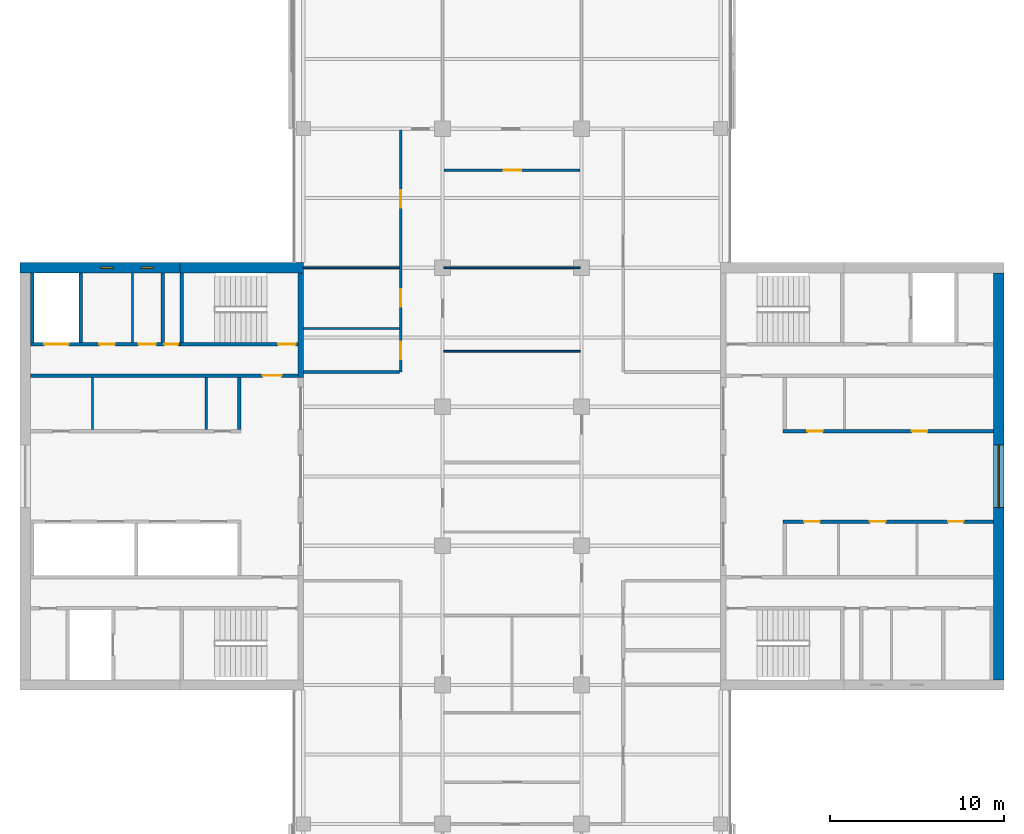
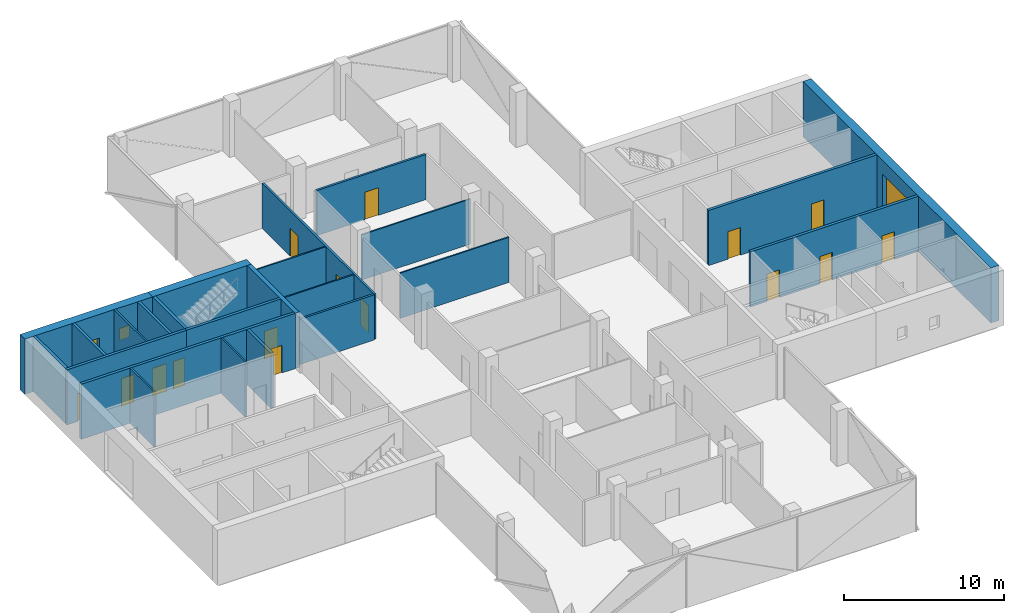
# One storey, part 11 of 15: 24 walls, 15 doors, 3 windows, 18 openings.
"""IFC4 building model written with IfcOpenShell, lengths in metres."""

from ifc_helpers import new_model, si_unit, direction, frame, frame_2d, origin, place, context, subcontext, project, spatial, rectangle, extrude, material, layer, layer_set, constituent, constituent_set, type_object, element, fill, save


model = new_model("IFC4")

# Units and contexts
model_context = context("Model", 3, precision=1e-05, world=origin(), true_north=direction((0.0, 1.0)))
body_context = subcontext(model_context, "Body", "Model", "MODEL_VIEW")
ifc_project = project(units=[si_unit("LENGTHUNIT", "METRE"), si_unit("AREAUNIT", "SQUARE_METRE"), si_unit("VOLUMEUNIT", "CUBIC_METRE"), si_unit("PLANEANGLEUNIT", "RADIAN"), si_unit("MASSUNIT", "GRAM", prefix="KILO")], contexts=[model_context])

# Site, building, storey
site_placement = place(None, origin())
site = spatial("IfcSite", under=ifc_project, at=site_placement, CompositionType="ELEMENT")
building_placement = place(site_placement, origin())
building = spatial("IfcBuilding", under=site, at=building_placement, Name="Crosswind Convention Tower", CompositionType="ELEMENT")
storey_placement = place(building_placement, frame((0.0, 0.0, 191.5)))
storey = spatial("IfcBuildingStorey", under=building, at=storey_placement, Name="L40", CompositionType="ELEMENT", Elevation=191.5)

# Walls
ifc_material_1 = material(Name="Concrete blockwork", Category="masonry")
ifc_layer_1 = layer(ifc_material_1, 0.199951171875)
ifc_layer_set_1 = layer_set([ifc_layer_1], Name="Blockwork partition wall 200")
wall_type_1 = type_object("IfcWallType", Name="Blockwork partition wall 200", PredefinedType="PARTITIONING", material=ifc_layer_set_1)
wall_1_placement = place(storey_placement, frame((104.89990234375, 111.699951171875, 0.0), z_axis=(0.0, 0.0, 1.0), x_axis=(0.0, -1.0, 0.0)))
element("IfcWall", 1, at=wall_1_placement, inside=storey, type_object=wall_type_1, Name="Wall MRSE W L40", PredefinedType="PARTITIONING", context=body_context, shape_type="SweptSolid", body=[
    extrude(rectangle(XDim=4.0, YDim=0.199951171875, at=frame_2d((2.0, 0.0))), origin(), (0.0, 0.0, 1.0), 4.199951171875),
])
ifc_material_2 = material(Name="Concrete C50/60", Category="concrete")
ifc_layer_2 = layer(ifc_material_2, 0.300048828125)
ifc_layer_set_2 = layer_set([ifc_layer_2], Name="Concrete C50/60")
wall_type_2 = type_object("IfcWallType", Name="Concrete inner core wall 300", PredefinedType="SHEAR", material=ifc_layer_set_2)
wall_2_placement = place(storey_placement, frame((112.85009765625, 111.699951171875, 0.0), z_axis=(0.0, 0.0, 1.0), x_axis=(0.0, -1.0, 0.0)))
element("IfcWall", 2, at=wall_2_placement, inside=storey, type_object=wall_type_2, Name="Wall EM W L40", PredefinedType="SHEAR", context=body_context, shape_type="SweptSolid", body=[
    extrude(rectangle(XDim=6.0, YDim=0.300048828125, at=frame_2d((3.0, 0.0))), origin(), (0.0, 0.0, 1.0), 4.199951171875),
])

# Wall, openings, doors
ifc_layer_3 = layer(ifc_material_2, 0.199951171875)
ifc_layer_set_3 = layer_set([ifc_layer_3], Name="Concrete C50/60")
wall_type_3 = type_object("IfcWallType", Name="Concrete shaft and stair wall 200", PredefinedType="SHEAR", material=ifc_layer_set_3)
wall_3_placement = place(storey_placement, frame((140.60009765625, 102.60009765625, 0.0), z_axis=(0.0, 0.0, 1.0), x_axis=(1.0, 0.0, 0.0)))
wall_3 = element("IfcWall", 3, at=wall_3_placement, inside=storey, type_object=wall_type_3, Name="Wall RPFRONT E L40", PredefinedType="SHEAR", context=body_context, shape_type="SweptSolid", body=[
    extrude(rectangle(XDim=12.099853515625, YDim=0.199951171875, at=frame_2d((6.0498046875, 0.0))), origin(), (0.0, 0.0, 1.0), 4.199951171875),
])
opening_1_placement = place(wall_3_placement, frame((1.384765625, 0.0, 0.0)))
opening_1 = element("IfcOpeningElement", 4, at=opening_1_placement, cuts=wall_3, Name="Opening D106", PredefinedType="OPENING", context=body_context, shape_type="SweptSolid", body=[
    extrude(rectangle(XDim=0.89990234375, YDim=2.10009765625, at=frame_2d((0.449951171875, 1.050048828125))), frame((0.0, 0.10986328125, 0.0), z_axis=(0.0, -1.0, 0.0), x_axis=(1.0, 0.0, 0.0)), (0.0, 0.0, 1.0), 0.219970703125),
])
opening_2_placement = place(wall_3_placement, frame((7.397216796875, 0.0, 0.0)))
opening_2 = element("IfcOpeningElement", 5, at=opening_2_placement, cuts=wall_3, Name="Opening D106", PredefinedType="OPENING", context=body_context, shape_type="SweptSolid", body=[
    extrude(rectangle(XDim=0.89990234375, YDim=2.10009765625, at=frame_2d((0.449951171875, 1.050048828125))), frame((0.0, 0.10986328125, 0.0), z_axis=(0.0, -1.0, 0.0), x_axis=(1.0, 0.0, 0.0)), (0.0, 0.0, 1.0), 0.219970703125),
])
ifc_material_3 = material(Name="Timber door", Category="wood")
door_type_1 = type_object("IfcDoorType", Name="Single leaf door 900x2100", OperationType="NOTDEFINED", PredefinedType="DOOR", material=ifc_material_3)
door_1_placement = place(opening_1_placement, origin())
door_1 = element("IfcDoor", 6, at=door_1_placement, inside=storey, type_object=door_type_1, Name="Door to tenant services room L40", ObjectType="D106", OperationType="SINGLE_SWING_RIGHT", OverallHeight=2.10009765625, OverallWidth=0.89990234375, PredefinedType="DOOR", context=body_context, shape_type="SweptSolid", body=[
    extrude(rectangle(XDim=0.89990234375, YDim=2.10009765625, at=frame_2d((0.449951171875, 1.050048828125))), frame((0.0, 0.02490234375, 0.0), z_axis=(0.0, -1.0, 0.0), x_axis=(1.0, 0.0, 0.0)), (0.0, 0.0, 1.0), 0.050048828125),
])
fill(opening_1, door_1)
door_2_placement = place(opening_2_placement, origin())
door_2 = element("IfcDoor", 7, at=door_2_placement, inside=storey, type_object=door_type_1, Name="Door to copy and print room L40", ObjectType="D106", OperationType="SINGLE_SWING_RIGHT", OverallHeight=2.10009765625, OverallWidth=0.89990234375, PredefinedType="DOOR", context=body_context, shape_type="SweptSolid", body=[
    extrude(rectangle(XDim=0.89990234375, YDim=2.10009765625, at=frame_2d((0.449951171875, 1.050048828125))), frame((0.0, 0.02490234375, 0.0), z_axis=(0.0, -1.0, 0.0), x_axis=(1.0, 0.0, 0.0)), (0.0, 0.0, 1.0), 0.050048828125),
])
fill(opening_2, door_2)

wall_4_placement = place(storey_placement, frame((140.60009765625, 97.39990234375, 0.0), z_axis=(0.0, 0.0, 1.0), x_axis=(1.0, 0.0, 0.0)))
wall_4 = element("IfcWall", 8, at=wall_4_placement, inside=storey, type_object=wall_type_3, Name="Wall RMFRONT E L40", PredefinedType="SHEAR", context=body_context, shape_type="SweptSolid", body=[
    extrude(rectangle(XDim=12.099853515625, YDim=0.199951171875, at=frame_2d((6.0498046875, 0.0))), origin(), (0.0, 0.0, 1.0), 4.199951171875),
])
opening_3_placement = place(wall_4_placement, frame((1.206298828125, 0.0, 0.0)))
opening_3 = element("IfcOpeningElement", 9, at=opening_3_placement, cuts=wall_4, Name="Opening D106", PredefinedType="OPENING", context=body_context, shape_type="SweptSolid", body=[
    extrude(rectangle(XDim=0.89990234375, YDim=2.10009765625, at=frame_2d((0.449951171875, 1.050048828125))), frame((0.0, 0.10986328125, 0.0), z_axis=(0.0, -1.0, 0.0), x_axis=(1.0, 0.0, 0.0)), (0.0, 0.0, 1.0), 0.219970703125),
])
opening_4_placement = place(wall_4_placement, frame((4.986083984375, 0.0, 0.0)))
opening_4 = element("IfcOpeningElement", 10, at=opening_4_placement, cuts=wall_4, Name="Opening D106", PredefinedType="OPENING", context=body_context, shape_type="SweptSolid", body=[
    extrude(rectangle(XDim=0.89990234375, YDim=2.10009765625, at=frame_2d((0.449951171875, 1.050048828125))), frame((0.0, 0.10986328125, 0.0), z_axis=(0.0, -1.0, 0.0), x_axis=(1.0, 0.0, 0.0)), (0.0, 0.0, 1.0), 0.219970703125),
])
opening_5_placement = place(wall_4_placement, frame((9.479736328125, 0.0, 0.0)))
opening_5 = element("IfcOpeningElement", 11, at=opening_5_placement, cuts=wall_4, Name="Opening D106", PredefinedType="OPENING", context=body_context, shape_type="SweptSolid", body=[
    extrude(rectangle(XDim=0.89990234375, YDim=2.10009765625, at=frame_2d((0.449951171875, 1.050048828125))), frame((0.0, 0.10986328125, 0.0), z_axis=(0.0, -1.0, 0.0), x_axis=(1.0, 0.0, 0.0)), (0.0, 0.0, 1.0), 0.219970703125),
])
door_3_placement = place(opening_3_placement, frame((0.89990234375, 0.0, 0.0), z_axis=(0.0, 0.0, 1.0), x_axis=(-1.0, 0.0, 0.0)))
door_3 = element("IfcDoor", 12, at=door_3_placement, inside=storey, type_object=door_type_1, Name="Door to copy and print room L40", ObjectType="D106", OperationType="SINGLE_SWING_LEFT", OverallHeight=2.10009765625, OverallWidth=0.89990234375, PredefinedType="DOOR", context=body_context, shape_type="SweptSolid", body=[
    extrude(rectangle(XDim=0.89990234375, YDim=2.10009765625, at=frame_2d((0.449951171875, 1.050048828125))), frame((0.0, 0.02490234375, 0.0), z_axis=(0.0, -1.0, 0.0), x_axis=(1.0, 0.0, 0.0)), (0.0, 0.0, 1.0), 0.050048828125),
])
fill(opening_3, door_3)
door_4_placement = place(opening_4_placement, frame((0.89990234375, 0.0, 0.0), z_axis=(0.0, 0.0, 1.0), x_axis=(-1.0, 0.0, 0.0)))
door_4 = element("IfcDoor", 13, at=door_4_placement, inside=storey, type_object=door_type_1, Name="Door to meeting room L40", ObjectType="D106", OperationType="SINGLE_SWING_LEFT", OverallHeight=2.10009765625, OverallWidth=0.89990234375, PredefinedType="DOOR", context=body_context, shape_type="SweptSolid", body=[
    extrude(rectangle(XDim=0.89990234375, YDim=2.10009765625, at=frame_2d((0.449951171875, 1.050048828125))), frame((0.0, 0.02490234375, 0.0), z_axis=(0.0, -1.0, 0.0), x_axis=(1.0, 0.0, 0.0)), (0.0, 0.0, 1.0), 0.050048828125),
])
fill(opening_4, door_4)
door_5_placement = place(opening_5_placement, frame((0.89990234375, 0.0, 0.0), z_axis=(0.0, 0.0, 1.0), x_axis=(-1.0, 0.0, 0.0)))
door_5 = element("IfcDoor", 14, at=door_5_placement, inside=storey, type_object=door_type_1, Name="Door to pantry L40", ObjectType="D106", OperationType="SINGLE_SWING_LEFT", OverallHeight=2.10009765625, OverallWidth=0.89990234375, PredefinedType="DOOR", context=body_context, shape_type="SweptSolid", body=[
    extrude(rectangle(XDim=0.89990234375, YDim=2.10009765625, at=frame_2d((0.449951171875, 1.050048828125))), frame((0.0, 0.02490234375, 0.0), z_axis=(0.0, -1.0, 0.0), x_axis=(1.0, 0.0, 0.0)), (0.0, 0.0, 1.0), 0.050048828125),
])
fill(opening_5, door_5)

# Wall
wall_5_placement = place(storey_placement, frame((109.300048828125, 105.699951171875, 0.0), z_axis=(0.0, 0.0, 1.0), x_axis=(0.0, -1.0, 0.0)))
element("IfcWall", 15, at=wall_5_placement, inside=storey, type_object=wall_type_3, Name="Wall RMEND W L40", PredefinedType="SHEAR", context=body_context, shape_type="SweptSolid", body=[
    extrude(rectangle(XDim=3.0, YDim=0.199951171875, at=frame_2d((1.5, 0.0))), origin(), (0.0, 0.0, 1.0), 4.199951171875),
])

# Wall, opening, door
wall_6_placement = place(storey_placement, frame((112.699951171875, 105.800048828125, 0.0), z_axis=(0.0, 0.0, 1.0), x_axis=(-1.0, 0.0, 0.0)))
wall_6 = element("IfcWall", 16, at=wall_6_placement, inside=storey, type_object=wall_type_3, Name="Wall HM W L40", PredefinedType="SHEAR", context=body_context, shape_type="SweptSolid", body=[
    extrude(rectangle(XDim=15.39990234375, YDim=0.199951171875, at=frame_2d((7.699951171875, 0.0))), origin(), (0.0, 0.0, 1.0), 4.199951171875),
])
opening_6_placement = place(wall_6_placement, frame((0.949951171875, 0.0, 0.0)))
opening_6 = element("IfcOpeningElement", 17, at=opening_6_placement, cuts=wall_6, Name="Opening D104", PredefinedType="OPENING", context=body_context, shape_type="SweptSolid", body=[
    extrude(rectangle(XDim=1.10009765625, YDim=2.10009765625, at=frame_2d((0.550048828125, 1.050048828125))), frame((0.0, 0.10986328125, 0.0), z_axis=(0.0, -1.0, 0.0), x_axis=(1.0, 0.0, 0.0)), (0.0, 0.0, 1.0), 0.219970703125),
])
ifc_material_4 = material(Name="Steel fire door", Category="steel")
door_type_2 = type_object("IfcDoorType", Name="Fire-rated single door 1100x2100", OperationType="NOTDEFINED", PredefinedType="DOOR", material=ifc_material_4)
door_6_placement = place(opening_6_placement, origin())
door_6 = element("IfcDoor", 18, at=door_6_placement, inside=storey, type_object=door_type_2, Name="Corridor door L40", ObjectType="D104", OperationType="SINGLE_SWING_LEFT", OverallHeight=2.10009765625, OverallWidth=1.10009765625, PredefinedType="DOOR", context=body_context, shape_type="SweptSolid", body=[
    extrude(rectangle(XDim=1.10009765625, YDim=2.10009765625, at=frame_2d((0.550048828125, 1.050048828125))), frame((0.0, 0.02490234375, 0.0), z_axis=(0.0, -1.0, 0.0), x_axis=(1.0, 0.0, 0.0)), (0.0, 0.0, 1.0), 0.050048828125),
])
fill(opening_6, door_6)

# Walls
for number, where, z_axis, x_axis, name in (
    (19, (106.0, 111.699951171875, 0.0), (0.0, 0.0, 1.0), (0.0, -1.0, 0.0), "Wall MSE W L40"),
    (20, (100.199951171875, 111.699951171875, 0.0), (0.0, 0.0, 1.0), (0.0, -1.0, 0.0), "Wall MFSW W L40"),
    (21, (97.39990234375, 111.699951171875, 0.0), (0.0, 0.0, 1.0), (0.0, -1.0, 0.0), "Wall MFSE W L40"),
):
    element("IfcWall", number, at=place(storey_placement, frame(where, z_axis=z_axis, x_axis=x_axis)), inside=storey, type_object=wall_type_3, Name=name, PredefinedType="SHEAR", context=body_context, shape_type="SweptSolid", body=[
        extrude(rectangle(XDim=4.0, YDim=0.199951171875, at=frame_2d((2.0, 0.0))), origin(), (0.0, 0.0, 1.0), 4.199951171875),
    ])

# Wall, opening, door
wall_7_placement = place(storey_placement, frame((112.699951171875, 107.60009765625, 0.0), z_axis=(0.0, 0.0, 1.0), x_axis=(-1.0, 0.0, 0.0)))
wall_7 = element("IfcWall", 22, at=wall_7_placement, inside=storey, type_object=wall_type_3, Name="Wall MCW W L40", PredefinedType="SHEAR", context=body_context, shape_type="SweptSolid", body=[
    extrude(rectangle(XDim=6.800048828125, YDim=0.199951171875, at=frame_2d((3.39990234375, 0.0))), origin(), (0.0, 0.0, 1.0), 4.199951171875),
])
opening_7_placement = place(wall_7_placement, frame((0.14990234375, 0.0, 0.0)))
opening_7 = element("IfcOpeningElement", 23, at=opening_7_placement, cuts=wall_7, Name="Opening D103", PredefinedType="OPENING", context=body_context, shape_type="SweptSolid", body=[
    extrude(rectangle(XDim=1.0, YDim=2.10009765625, at=frame_2d((0.5, 1.050048828125))), frame((0.0, 0.10986328125, 0.0), z_axis=(0.0, -1.0, 0.0), x_axis=(1.0, 0.0, 0.0)), (0.0, 0.0, 1.0), 0.219970703125),
])
door_type_3 = type_object("IfcDoorType", Name="Fire-rated single door 1000x2100", OperationType="NOTDEFINED", PredefinedType="DOOR", material=ifc_material_4)
door_7_placement = place(opening_7_placement, frame((1.0, 0.0, 0.0), z_axis=(0.0, 0.0, 1.0), x_axis=(-1.0, 0.0, 0.0)))
door_7 = element("IfcDoor", 24, at=door_7_placement, inside=storey, type_object=door_type_3, Name="Stair ST4 door L40", ObjectType="D103", OperationType="SINGLE_SWING_RIGHT", OverallHeight=2.10009765625, OverallWidth=1.0, PredefinedType="DOOR", context=body_context, shape_type="SweptSolid", body=[
    extrude(rectangle(XDim=1.0, YDim=2.10009765625, at=frame_2d((0.5, 1.050048828125))), frame((0.0, 0.02490234375, 0.0), z_axis=(0.0, -1.0, 0.0), x_axis=(1.0, 0.0, 0.0)), (0.0, 0.0, 1.0), 0.050048828125),
])
fill(opening_7, door_7)

# Wall, openings, doors
wall_8_placement = place(storey_placement, frame((105.89990234375, 107.60009765625, 0.0), z_axis=(0.0, 0.0, 1.0), x_axis=(-1.0, 0.0, 0.0)))
wall_8 = element("IfcWall", 25, at=wall_8_placement, inside=storey, type_object=wall_type_3, Name="Wall MCX W L40", PredefinedType="SHEAR", context=body_context, shape_type="SweptSolid", body=[
    extrude(rectangle(XDim=8.599853515625, YDim=0.199951171875, at=frame_2d((4.2998046875, 0.0))), origin(), (0.0, 0.0, 1.0), 4.199951171875),
])
opening_8_placement = place(wall_8_placement, frame((0.10009765625, 0.0, 0.0)))
opening_8 = element("IfcOpeningElement", 26, at=opening_8_placement, cuts=wall_8, Name="Opening D105", PredefinedType="OPENING", context=body_context, shape_type="SweptSolid", body=[
    extrude(rectangle(XDim=0.800048828125, YDim=2.10009765625, at=frame_2d((0.39990234375, 1.050048828125))), frame((0.0, 0.10986328125, 0.0), z_axis=(0.0, -1.0, 0.0), x_axis=(1.0, 0.0, 0.0)), (0.0, 0.0, 1.0), 0.219970703125),
])
opening_9_placement = place(wall_8_placement, frame((1.378662109375, 0.0, 0.0)))
opening_9 = element("IfcOpeningElement", 27, at=opening_9_placement, cuts=wall_8, Name="Opening D103", PredefinedType="OPENING", context=body_context, shape_type="SweptSolid", body=[
    extrude(rectangle(XDim=1.0, YDim=2.10009765625, at=frame_2d((0.5, 1.050048828125))), frame((0.0, 0.10986328125, 0.0), z_axis=(0.0, -1.0, 0.0), x_axis=(1.0, 0.0, 0.0)), (0.0, 0.0, 1.0), 0.219970703125),
])
opening_10_placement = place(wall_8_placement, frame((3.7412109375, 0.0, 0.0)))
opening_10 = element("IfcOpeningElement", 28, at=opening_10_placement, cuts=wall_8, Name="Opening D106", PredefinedType="OPENING", context=body_context, shape_type="SweptSolid", body=[
    extrude(rectangle(XDim=0.89990234375, YDim=2.10009765625, at=frame_2d((0.449951171875, 1.050048828125))), frame((0.0, 0.10986328125, 0.0), z_axis=(0.0, -1.0, 0.0), x_axis=(1.0, 0.0, 0.0)), (0.0, 0.0, 1.0), 0.219970703125),
])
opening_11_placement = place(wall_8_placement, frame((6.39990234375, 0.0, 0.0)))
opening_11 = element("IfcOpeningElement", 29, at=opening_11_placement, cuts=wall_8, Name="Opening LD2", PredefinedType="OPENING", context=body_context, shape_type="SweptSolid", body=[
    extrude(rectangle(XDim=1.39990234375, YDim=2.10009765625, at=frame_2d((0.699951171875, 1.050048828125))), frame((0.0, 0.10986328125, 0.0), z_axis=(0.0, -1.0, 0.0), x_axis=(1.0, 0.0, 0.0)), (0.0, 0.0, 1.0), 0.219970703125),
])
door_8_placement = place(opening_9_placement, frame((1.0, 0.0, 0.0), z_axis=(0.0, 0.0, 1.0), x_axis=(-1.0, 0.0, 0.0)))
door_8 = element("IfcDoor", 30, at=door_8_placement, inside=storey, type_object=door_type_3, Name="Door to accessible wc L40", ObjectType="D103", OperationType="SINGLE_SWING_LEFT", OverallHeight=2.10009765625, OverallWidth=1.0, PredefinedType="DOOR", context=body_context, shape_type="SweptSolid", body=[
    extrude(rectangle(XDim=1.0, YDim=2.10009765625, at=frame_2d((0.5, 1.050048828125))), frame((0.0, 0.02490234375, 0.0), z_axis=(0.0, -1.0, 0.0), x_axis=(1.0, 0.0, 0.0)), (0.0, 0.0, 1.0), 0.050048828125),
])
fill(opening_9, door_8)
ifc_material_5 = material(Name="Stainless steel", Category="steel")
door_type_4 = type_object("IfcDoorType", Name="Lift landing door 1400x2100", OperationType="DOUBLE_DOOR_SLIDING", PredefinedType="DOOR", material=ifc_material_5)
door_9_placement = place(opening_11_placement, origin())
door_9 = element("IfcDoor", 31, at=door_9_placement, inside=storey, type_object=door_type_4, Name="Landing door SV2 L40", ObjectType="LD2", OperationType="DOUBLE_DOOR_SLIDING", OverallHeight=2.10009765625, OverallWidth=1.39990234375, PredefinedType="DOOR", context=body_context, shape_type="SweptSolid", body=[
    extrude(rectangle(XDim=1.39990234375, YDim=2.10009765625, at=frame_2d((0.699951171875, 1.050048828125))), frame((0.0, 0.02490234375, 0.0), z_axis=(0.0, -1.0, 0.0), x_axis=(1.0, 0.0, 0.0)), (0.0, 0.0, 1.0), 0.050048828125),
])
fill(opening_11, door_9)
door_type_5 = type_object("IfcDoorType", Name="Riser access door 800x2100", OperationType="NOTDEFINED", PredefinedType="DOOR", material=ifc_material_4)
door_10_placement = place(opening_8_placement, frame((0.800048828125, 0.0, 0.0), z_axis=(0.0, 0.0, 1.0), x_axis=(-1.0, 0.0, 0.0)))
door_10 = element("IfcDoor", 32, at=door_10_placement, inside=storey, type_object=door_type_5, Name="Riser door L40", ObjectType="D105", OperationType="SINGLE_SWING_LEFT", OverallHeight=2.10009765625, OverallWidth=0.800048828125, PredefinedType="DOOR", context=body_context, shape_type="SweptSolid", body=[
    extrude(rectangle(XDim=0.800048828125, YDim=2.10009765625, at=frame_2d((0.39990234375, 1.050048828125))), frame((0.0, 0.02490234375, 0.0), z_axis=(0.0, -1.0, 0.0), x_axis=(1.0, 0.0, 0.0)), (0.0, 0.0, 1.0), 0.050048828125),
])
fill(opening_8, door_10)
door_11_placement = place(opening_10_placement, frame((0.89990234375, 0.0, 0.0), z_axis=(0.0, 0.0, 1.0), x_axis=(-1.0, 0.0, 0.0)))
door_11 = element("IfcDoor", 33, at=door_11_placement, inside=storey, type_object=door_type_1, Name="Door to wc L40", ObjectType="D106", OperationType="SINGLE_SWING_LEFT", OverallHeight=2.10009765625, OverallWidth=0.89990234375, PredefinedType="DOOR", context=body_context, shape_type="SweptSolid", body=[
    extrude(rectangle(XDim=0.89990234375, YDim=2.10009765625, at=frame_2d((0.449951171875, 1.050048828125))), frame((0.0, 0.02490234375, 0.0), z_axis=(0.0, -1.0, 0.0), x_axis=(1.0, 0.0, 0.0)), (0.0, 0.0, 1.0), 0.050048828125),
])
fill(opening_10, door_11)

# Walls
ifc_material_6 = material(Name="Gypsum plasterboard partition", Category="gypsum")
ifc_layer_4 = layer(ifc_material_6, 0.125)
ifc_layer_set_4 = layer_set([ifc_layer_4], Name="Drywall partition wall 125")
wall_type_4 = type_object("IfcWallType", Name="Drywall partition wall 125", PredefinedType="PARTITIONING", material=ifc_layer_set_4)
for number, where, z_axis, x_axis, name in (
    (34, (107.4150390625, 105.699951171875, 0.0), (0.0, 0.0, 1.0), (0.0, -1.0, 0.0), "Wall RMP1 W L40"),
    (35, (100.8701171875, 105.699951171875, 0.0), (0.0, 0.0, 1.0), (0.0, -1.0, 0.0), "Wall RMP2 W L40"),
):
    element("IfcWall", number, at=place(storey_placement, frame(where, z_axis=z_axis, x_axis=x_axis)), inside=storey, type_object=wall_type_4, Name=name, PredefinedType="PARTITIONING", context=body_context, shape_type="SweptSolid", body=[
        extrude(rectangle(XDim=3.0, YDim=0.125, at=frame_2d((1.5, 0.0))), origin(), (0.0, 0.0, 1.0), 4.199951171875),
    ])
wall_9_placement = place(storey_placement, frame((103.179931640625, 111.699951171875, 0.0), z_axis=(0.0, 0.0, 1.0), x_axis=(0.0, -1.0, 0.0)))
element("IfcWall", 36, at=wall_9_placement, inside=storey, type_object=wall_type_4, Name="Wall MWP1 W L40", PredefinedType="PARTITIONING", context=body_context, shape_type="SweptSolid", body=[
    extrude(rectangle(XDim=4.0, YDim=0.125, at=frame_2d((2.0, 0.0))), origin(), (0.0, 0.0, 1.0), 4.199951171875),
])
ifc_material_7 = material(Name="Plasterboard partition", Category="gypsum")
ifc_layer_5 = layer(ifc_material_7, 0.10009765625)
ifc_layer_set_5 = layer_set([ifc_layer_5], Name="PARTITION 100 METAL STUD")
wall_type_5 = type_object("IfcWallType", Name="PARTITION 100 METAL STUD", PredefinedType="PARTITIONING", material=ifc_layer_set_5)
wall_10_placement = place(storey_placement, frame((121.074951171875, 107.199951171875, 0.0), z_axis=(0.0, 0.0, 1.0), x_axis=(1.0, 0.0, 0.0)))
element("IfcWall", 37, at=wall_10_placement, inside=storey, type_object=wall_type_5, Name="Partition wall WT40", PredefinedType="PARTITIONING", context=body_context, shape_type="SweptSolid", body=[
    extrude(rectangle(XDim=7.85009765625, YDim=0.10009765625, at=frame_2d((3.925048828125, 0.0))), origin(), (0.0, 0.0, 1.0), 3.439697265625),
])
for number, where, z_axis, x_axis, name in (
    (38, (113.0, 108.5, 0.0), (0.0, 0.0, 1.0), (1.0, 0.0, 0.0), "Partition wall WT40"),
    (39, (113.0, 112.0, 0.0), (0.0, 0.0, 1.0), (1.0, 0.0, 0.0), "Partition wall WT40"),
):
    element("IfcWall", number, at=place(storey_placement, frame(where, z_axis=z_axis, x_axis=x_axis)), inside=storey, type_object=wall_type_5, Name=name, PredefinedType="PARTITIONING", context=body_context, shape_type="SweptSolid", body=[
        extrude(rectangle(XDim=5.52490234375, YDim=0.10009765625, at=frame_2d((2.762451171875, 0.0))), origin(), (0.0, 0.0, 1.0), 3.439697265625),
    ])
wall_11_placement = place(storey_placement, frame((121.074951171875, 112.0, 0.0), z_axis=(0.0, 0.0, 1.0), x_axis=(1.0, 0.0, 0.0)))
element("IfcWall", 40, at=wall_11_placement, inside=storey, type_object=wall_type_5, Name="Partition wall WT40", PredefinedType="PARTITIONING", context=body_context, shape_type="SweptSolid", body=[
    extrude(rectangle(XDim=7.85009765625, YDim=0.10009765625, at=frame_2d((3.925048828125, 0.0))), origin(), (0.0, 0.0, 1.0), 3.439697265625),
])

# Wall, openings, doors
ifc_material_8 = material(Name="Fire-board partition with mineral wool", Category="gypsum")
ifc_layer_6 = layer(ifc_material_8, 0.14990234375)
ifc_layer_set_6 = layer_set([ifc_layer_6], Name="TENANCY WALL 150 TWO-HOUR BOARD")
wall_type_6 = type_object("IfcWallType", Name="TENANCY WALL 150 TWO-HOUR BOARD", PredefinedType="PARTITIONING", material=ifc_layer_set_6)
wall_12_placement = place(storey_placement, frame((118.60009765625, 106.0, 0.0), z_axis=(0.0, 0.0, 1.0), x_axis=(0.0, 1.0, 0.0)))
wall_12 = element("IfcWall", 41, at=wall_12_placement, inside=storey, type_object=wall_type_6, Name="Tenancy wall WT41", PredefinedType="PARTITIONING", context=body_context, shape_type="SweptSolid", body=[
    extrude(rectangle(XDim=13.925048828125, YDim=0.14990234375, at=frame_2d((6.96240234375, 0.0))), origin(), (0.0, 0.0, 1.0), 3.439697265625),
])
opening_12_placement = place(wall_12_placement, frame((0.75, 0.0, 0.0)))
opening_12 = element("IfcOpeningElement", 42, at=opening_12_placement, cuts=wall_12, Name="Opening L40-54", PredefinedType="OPENING", context=body_context, shape_type="SweptSolid", body=[
    extrude(rectangle(XDim=1.0, YDim=2.10009765625, at=frame_2d((0.5, 1.050048828125))), frame((0.0, 0.0849609375, 0.0), z_axis=(0.0, -1.0, 0.0), x_axis=(1.0, 0.0, 0.0)), (0.0, 0.0, 1.0), 0.169921875),
])
opening_13_placement = place(wall_12_placement, frame((3.75, 0.0, 0.0)))
opening_13 = element("IfcOpeningElement", 43, at=opening_13_placement, cuts=wall_12, Name="Opening L40-55", PredefinedType="OPENING", context=body_context, shape_type="SweptSolid", body=[
    extrude(rectangle(XDim=1.0, YDim=2.10009765625, at=frame_2d((0.5, 1.050048828125))), frame((0.0, 0.0849609375, 0.0), z_axis=(0.0, -1.0, 0.0), x_axis=(1.0, 0.0, 0.0)), (0.0, 0.0, 1.0), 0.169921875),
])
opening_14_placement = place(wall_12_placement, frame((9.449951171875, 0.0, 0.0)))
opening_14 = element("IfcOpeningElement", 44, at=opening_14_placement, cuts=wall_12, Name="Opening L40-56", PredefinedType="OPENING", context=body_context, shape_type="SweptSolid", body=[
    extrude(rectangle(XDim=1.0, YDim=2.10009765625, at=frame_2d((0.5, 1.050048828125))), frame((0.0, 0.0849609375, 0.0), z_axis=(0.0, -1.0, 0.0), x_axis=(1.0, 0.0, 0.0)), (0.0, 0.0, 1.0), 0.169921875),
])
ifc_material_9 = material(Name="Timber fire door", Category="wood")
door_type_6 = type_object("IfcDoorType", Name="TENANCY ENTRANCE DOOR 1000X2100 FD30S", OperationType="NOTDEFINED", PredefinedType="DOOR", material=ifc_material_9)
door_12_placement = place(opening_12_placement, origin())
door_12 = element("IfcDoor", 45, at=door_12_placement, inside=storey, type_object=door_type_6, Name="Door L40-54", ObjectType="D41", OperationType="SINGLE_SWING_RIGHT", OverallHeight=2.10009765625, OverallWidth=1.0, PredefinedType="DOOR", context=body_context, shape_type="SweptSolid", body=[
    extrude(rectangle(XDim=1.0, YDim=2.10009765625, at=frame_2d((0.5, 1.050048828125))), frame((0.0, 0.02490234375, 0.0), z_axis=(0.0, -1.0, 0.0), x_axis=(1.0, 0.0, 0.0)), (0.0, 0.0, 1.0), 0.050048828125),
])
fill(opening_12, door_12)
door_13_placement = place(opening_13_placement, origin())
door_13 = element("IfcDoor", 46, at=door_13_placement, inside=storey, type_object=door_type_6, Name="Door L40-55", ObjectType="D41", OperationType="SINGLE_SWING_RIGHT", OverallHeight=2.10009765625, OverallWidth=1.0, PredefinedType="DOOR", context=body_context, shape_type="SweptSolid", body=[
    extrude(rectangle(XDim=1.0, YDim=2.10009765625, at=frame_2d((0.5, 1.050048828125))), frame((0.0, 0.02490234375, 0.0), z_axis=(0.0, -1.0, 0.0), x_axis=(1.0, 0.0, 0.0)), (0.0, 0.0, 1.0), 0.050048828125),
])
fill(opening_13, door_13)
door_14_placement = place(opening_14_placement, origin())
door_14 = element("IfcDoor", 47, at=door_14_placement, inside=storey, type_object=door_type_6, Name="Door L40-56", ObjectType="D41", OperationType="SINGLE_SWING_LEFT", OverallHeight=2.10009765625, OverallWidth=1.0, PredefinedType="DOOR", context=body_context, shape_type="SweptSolid", body=[
    extrude(rectangle(XDim=1.0, YDim=2.10009765625, at=frame_2d((0.5, 1.050048828125))), frame((0.0, 0.02490234375, 0.0), z_axis=(0.0, -1.0, 0.0), x_axis=(1.0, 0.0, 0.0)), (0.0, 0.0, 1.0), 0.050048828125),
])
fill(opening_14, door_14)

# Wall
wall_13_placement = place(storey_placement, frame((113.0, 106.0, 0.0), z_axis=(0.0, 0.0, 1.0), x_axis=(1.0, 0.0, 0.0)))
element("IfcWall", 48, at=wall_13_placement, inside=storey, type_object=wall_type_6, Name="Tenancy wall WT41", PredefinedType="PARTITIONING", context=body_context, shape_type="SweptSolid", body=[
    extrude(rectangle(XDim=5.52490234375, YDim=0.14990234375, at=frame_2d((2.762451171875, 0.0))), origin(), (0.0, 0.0, 1.0), 3.439697265625),
])

# Wall, opening, door
wall_14_placement = place(storey_placement, frame((121.074951171875, 117.60009765625, 0.0), z_axis=(0.0, 0.0, 1.0), x_axis=(1.0, 0.0, 0.0)))
wall_14 = element("IfcWall", 49, at=wall_14_placement, inside=storey, type_object=wall_type_6, Name="Tenancy wall WT41", PredefinedType="PARTITIONING", context=body_context, shape_type="SweptSolid", body=[
    extrude(rectangle(XDim=7.85009765625, YDim=0.14990234375, at=frame_2d((3.925048828125, 0.0))), origin(), (0.0, 0.0, 1.0), 3.439697265625),
])
opening_15_placement = place(wall_14_placement, frame((3.449951171875, 0.0, 0.0)))
opening_15 = element("IfcOpeningElement", 50, at=opening_15_placement, cuts=wall_14, Name="Opening L40-68", PredefinedType="OPENING", context=body_context, shape_type="SweptSolid", body=[
    extrude(rectangle(XDim=1.0, YDim=2.10009765625, at=frame_2d((0.5, 1.050048828125))), frame((0.0, 0.0849609375, 0.0), z_axis=(0.0, -1.0, 0.0), x_axis=(1.0, 0.0, 0.0)), (0.0, 0.0, 1.0), 0.169921875),
])
door_15_placement = place(opening_15_placement, frame((1.0, 0.0, 0.0), z_axis=(0.0, 0.0, 1.0), x_axis=(-1.0, 0.0, 0.0)))
door_15 = element("IfcDoor", 51, at=door_15_placement, inside=storey, type_object=door_type_6, Name="Door L40-68", ObjectType="D41", OperationType="SINGLE_SWING_LEFT", OverallHeight=2.10009765625, OverallWidth=1.0, PredefinedType="DOOR", context=body_context, shape_type="SweptSolid", body=[
    extrude(rectangle(XDim=1.0, YDim=2.10009765625, at=frame_2d((0.5, 1.050048828125))), frame((0.0, 0.02490234375, 0.0), z_axis=(0.0, -1.0, 0.0), x_axis=(1.0, 0.0, 0.0)), (0.0, 0.0, 1.0), 0.050048828125),
])
fill(opening_15, door_15)

# Wall, opening, window
ifc_material_10 = material(Name="Concrete C60/75", Category="concrete")
ifc_constituent_1 = constituent(ifc_material_10, Name="Structure")
ifc_material_11 = material(Name="Terracotta rainscreen", Category="ceramic")
ifc_constituent_2 = constituent(ifc_material_11, Name="Facing")
ifc_constituent_set = constituent_set(constituents=[ifc_constituent_1, ifc_constituent_2], Name="Concrete C60/75, Terracotta rainscreen")
wall_type_7 = type_object("IfcWallType", Name="Terracotta rainscreen on concrete core wall 600", PredefinedType="SHEAR", material=ifc_constituent_set)
wall_15_placement = place(storey_placement, frame((153.0, 88.300048828125, 0.0), z_axis=(0.0, 0.0, 1.0), x_axis=(0.0, 1.0, 0.0)))
wall_15 = element("IfcWall", 52, at=wall_15_placement, inside=storey, type_object=wall_type_7, Name="Wall O E L40", PredefinedType="SHEAR", context=body_context, shape_type="SweptSolid", body=[
    extrude(rectangle(XDim=23.39990234375, YDim=0.60009765625, at=frame_2d((11.699951171875, 0.0))), origin(), (0.0, 0.0, 1.0), 4.199951171875),
])
opening_16_placement = place(wall_15_placement, frame((9.89990234375, 0.0, 0.14990234375)))
opening_16 = element("IfcOpeningElement", 53, at=opening_16_placement, cuts=wall_15, Name="Opening W1", PredefinedType="OPENING", context=body_context, shape_type="SweptSolid", body=[
    extrude(rectangle(XDim=3.60009765625, YDim=3.0, at=frame_2d((1.800048828125, 1.5))), frame((0.0, 0.31005859375, 0.0), z_axis=(0.0, -1.0, 0.0), x_axis=(1.0, 0.0, 0.0)), (0.0, 0.0, 1.0), 0.6201171875),
])
ifc_material_12 = material(Name="Clear laminated glass in aluminium frame", Category="aluminium")
window_type_1 = type_object("IfcWindowType", Name="Lobby end window 3600x3000", PartitioningType="SINGLE_PANEL", PredefinedType="WINDOW", material=ifc_material_12)
window_1_placement = place(opening_16_placement, origin())
window_1 = element("IfcWindow", 54, at=window_1_placement, inside=storey, type_object=window_type_1, Name="Lobby end window L40", ObjectType="W1", OverallHeight=3.0, OverallWidth=3.60009765625, PartitioningType="SINGLE_PANEL", PredefinedType="WINDOW", context=body_context, shape_type="SweptSolid", body=[
    extrude(rectangle(XDim=3.60009765625, YDim=3.0, at=frame_2d((1.800048828125, 1.5))), frame((0.0, 0.030029296875, 0.0), z_axis=(0.0, -1.0, 0.0), x_axis=(1.0, 0.0, 0.0)), (0.0, 0.0, 1.0), 0.06005859375),
])
fill(opening_16, window_1)

# Wall
wall_16_placement = place(storey_placement, frame((113.0, 112.0, 0.0), z_axis=(0.0, 0.0, 1.0), x_axis=(-1.0, 0.0, 0.0)))
element("IfcWall", 55, at=wall_16_placement, inside=storey, type_object=wall_type_7, Name="Wall S1 W L40", PredefinedType="SHEAR", context=body_context, shape_type="SweptSolid", body=[
    extrude(rectangle(XDim=7.10009765625, YDim=0.60009765625, at=frame_2d((3.550048828125, 0.0))), origin(), (0.0, 0.0, 1.0), 4.199951171875),
])

# Wall, openings, windows
wall_17_placement = place(storey_placement, frame((105.89990234375, 112.0, 0.0), z_axis=(0.0, 0.0, 1.0), x_axis=(-1.0, 0.0, 0.0)))
wall_17 = element("IfcWall", 56, at=wall_17_placement, inside=storey, type_object=wall_type_7, Name="Wall S2 W L40", PredefinedType="SHEAR", context=body_context, shape_type="SweptSolid", body=[
    extrude(rectangle(XDim=9.199951171875, YDim=0.60009765625, at=frame_2d((4.60009765625, 0.0))), origin(), (0.0, 0.0, 1.0), 4.199951171875),
])
opening_17_placement = place(wall_17_placement, frame((1.52880859375, 0.0, 1.5)))
opening_17 = element("IfcOpeningElement", 57, at=opening_17_placement, cuts=wall_17, Name="Opening W2", PredefinedType="OPENING", context=body_context, shape_type="SweptSolid", body=[
    extrude(rectangle(XDim=0.699951171875, YDim=0.89990234375, at=frame_2d((0.35009765625, 0.449951171875))), frame((0.0, 0.31005859375, 0.0), z_axis=(0.0, -1.0, 0.0), x_axis=(1.0, 0.0, 0.0)), (0.0, 0.0, 1.0), 0.6201171875),
])
opening_18_placement = place(wall_17_placement, frame((3.84130859375, 0.0, 1.5)))
opening_18 = element("IfcOpeningElement", 58, at=opening_18_placement, cuts=wall_17, Name="Opening W2", PredefinedType="OPENING", context=body_context, shape_type="SweptSolid", body=[
    extrude(rectangle(XDim=0.699951171875, YDim=0.89990234375, at=frame_2d((0.35009765625, 0.449951171875))), frame((0.0, 0.31005859375, 0.0), z_axis=(0.0, -1.0, 0.0), x_axis=(1.0, 0.0, 0.0)), (0.0, 0.0, 1.0), 0.6201171875),
])
ifc_material_13 = material(Name="Obscure glass in aluminium frame", Category="aluminium")
window_type_2 = type_object("IfcWindowType", Name="WC window 700x900", PartitioningType="SINGLE_PANEL", PredefinedType="WINDOW", material=ifc_material_13)
window_2_placement = place(opening_17_placement, origin())
window_2 = element("IfcWindow", 59, at=window_2_placement, inside=storey, type_object=window_type_2, Name="WC window L40", ObjectType="W2", OverallHeight=0.89990234375, OverallWidth=0.699951171875, PartitioningType="SINGLE_PANEL", PredefinedType="WINDOW", context=body_context, shape_type="SweptSolid", body=[
    extrude(rectangle(XDim=0.699951171875, YDim=0.89990234375, at=frame_2d((0.35009765625, 0.449951171875))), frame((0.0, 0.030029296875, 0.0), z_axis=(0.0, -1.0, 0.0), x_axis=(1.0, 0.0, 0.0)), (0.0, 0.0, 1.0), 0.06005859375),
])
fill(opening_17, window_2)
window_3_placement = place(opening_18_placement, origin())
window_3 = element("IfcWindow", 60, at=window_3_placement, inside=storey, type_object=window_type_2, Name="WC window L40", ObjectType="W2", OverallHeight=0.89990234375, OverallWidth=0.699951171875, PartitioningType="SINGLE_PANEL", PredefinedType="WINDOW", context=body_context, shape_type="SweptSolid", body=[
    extrude(rectangle(XDim=0.699951171875, YDim=0.89990234375, at=frame_2d((0.35009765625, 0.449951171875))), frame((0.0, 0.030029296875, 0.0), z_axis=(0.0, -1.0, 0.0), x_axis=(1.0, 0.0, 0.0)), (0.0, 0.0, 1.0), 0.06005859375),
])
fill(opening_18, window_3)

save(model, "model.ifc")
